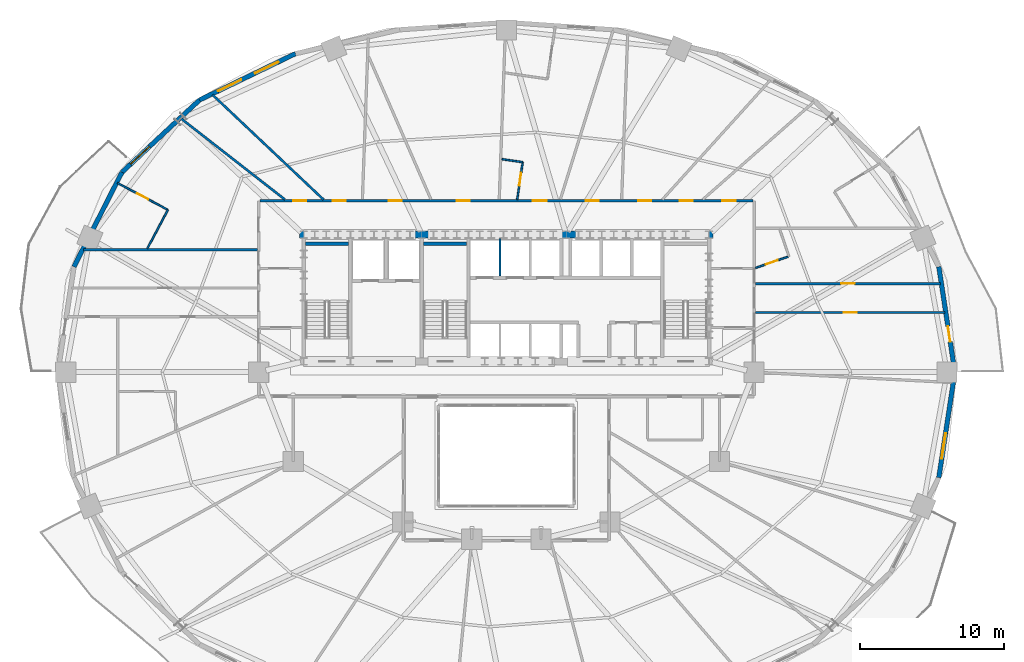
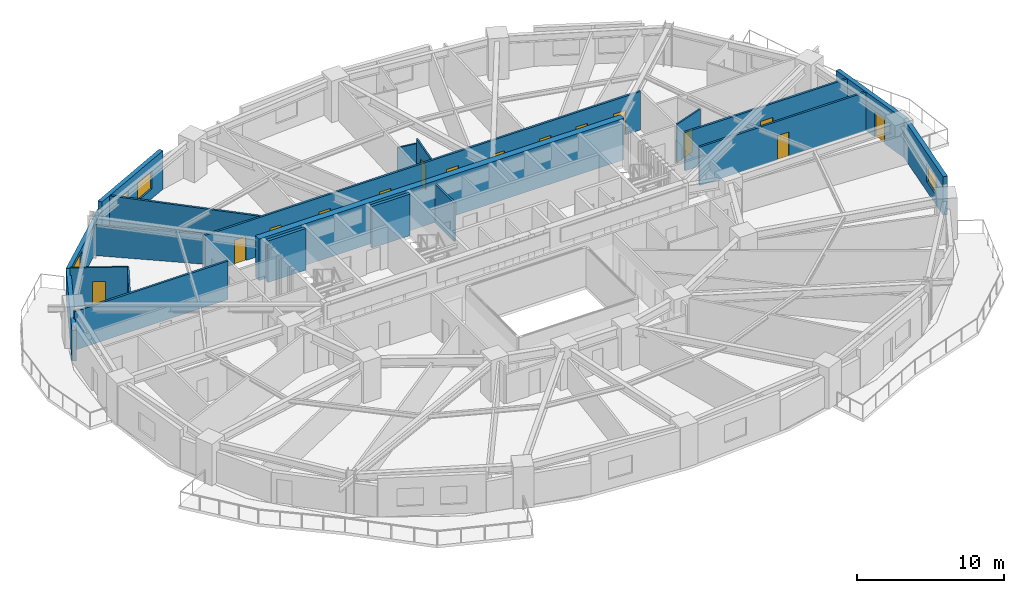
# One storey, part 12 of 17: 20 walls, 15 doors, 4 windows, 19 openings.
"""IFC4 building model written with IfcOpenShell, lengths in metres."""

from ifc_helpers import new_model, si_unit, direction, frame, frame_2d, origin, place, context, subcontext, project, spatial, rectangle, extrude, material, layer, layer_set, type_object, element, fill, save


model = new_model("IFC4")

# Units and contexts
model_context = context("Model", 3, precision=1e-05, world=origin(), true_north=direction((0.0, 1.0)))
body_context = subcontext(model_context, "Body", "Model", "MODEL_VIEW")
ifc_project = project(units=[si_unit("LENGTHUNIT", "METRE"), si_unit("AREAUNIT", "SQUARE_METRE"), si_unit("VOLUMEUNIT", "CUBIC_METRE"), si_unit("PLANEANGLEUNIT", "RADIAN"), si_unit("MASSUNIT", "GRAM", prefix="KILO")], contexts=[model_context])

# Site, building, storey
site_placement = place(None, origin())
site = spatial("IfcSite", under=ifc_project, at=site_placement, CompositionType="ELEMENT")
building_placement = place(site_placement, origin())
building = spatial("IfcBuilding", under=site, at=building_placement, Name="Haldorwick Loom Tower", CompositionType="ELEMENT")
storey_placement = place(building_placement, frame((0.0, 0.0, 44.699951171875)))
storey = spatial("IfcBuildingStorey", under=building, at=storey_placement, Name="L11", CompositionType="ELEMENT", Elevation=44.699951171875)

# Wall, opening, door
ifc_material_1 = material(Name="Pressed Clay Face Brick and Insulated Masonry Backup Assembly", Category="masonry")
ifc_layer_1 = layer(ifc_material_1, 0.320068359375, Name="Pressed Clay Face Brick and Insulated Masonry Backup Assembly", Category="masonry")
ifc_layer_set_1 = layer_set([ifc_layer_1], Name="Pressed Clay Face Brick and Insulated Masonry Backup Assembly")
wall_type_1 = type_object("IfcWallType", Name="ARC-WL-EXT320", PredefinedType="STANDARD", material=ifc_layer_set_1)
wall_1_placement = place(storey_placement, frame((67.135986328125, 26.0, 0.0), z_axis=(0.0, 0.0, 1.0), x_axis=(-0.150476322528, 0.988613613278, 0.0)))
wall_1 = element("IfcWall", 1, at=wall_1_placement, inside=storey, type_object=wall_type_1, Name="L11 Brick Pier and Spandrel Wall 1", PredefinedType="STANDARD", context=body_context, shape_type="SweptSolid", body=[
    extrude(rectangle(XDim=7.40478515625, YDim=0.320068359375, at=frame_2d((3.702392578125, 0.0))), origin(), (0.0, 0.0, 1.0), 3.2099609375),
])
opening_1_placement = place(wall_1_placement, frame((2.1416015625, 0.0, 0.0)))
opening_1 = element("IfcOpeningElement", 2, at=opening_1_placement, cuts=wall_1, Name="Opening D-BL11", PredefinedType="OPENING", context=body_context, shape_type="SweptSolid", body=[
    extrude(rectangle(XDim=1.080078125, YDim=2.0400390625, at=frame_2d((0.5400390625, 1.02001953125))), frame((0.0, 0.169921875, 0.0), z_axis=(0.0, -1.0, 0.0), x_axis=(1.0, 0.0, 0.0)), (0.0, 0.0, 1.0), 0.340087890625),
])
ifc_material_2 = material(Name="Thermally Broken Anodized Aluminium Curtain Wall Framing", Category="aluminium")
door_type_1 = type_object("IfcDoorType", Name="ARC-DR-BAL110", OperationType="NOTDEFINED", PredefinedType="DOOR", material=ifc_material_2)
door_1_placement = place(opening_1_placement, origin())
door_1 = element("IfcDoor", 3, at=door_1_placement, inside=storey, type_object=door_type_1, Name="L11 Outdoor Terrace Door SLB-L11-BAL_ENE", OperationType="SINGLE_SWING_RIGHT", OverallHeight=2.0400390625, OverallWidth=1.080078125, PredefinedType="DOOR", context=body_context, shape_type="SweptSolid", body=[
    extrude(rectangle(XDim=1.080078125, YDim=2.0400390625, at=frame_2d((0.5400390625, 1.02001953125))), frame((0.0, 0.02490234375, 0.0), z_axis=(0.0, -1.0, 0.0), x_axis=(1.0, 0.0, 0.0)), (0.0, 0.0, 1.0), 0.050048828125),
])
fill(opening_1, door_1)

# Wall, openings, windows
wall_2_placement = place(storey_placement, frame((21.355224609375, 48.11572265625, 0.0), z_axis=(0.0, 0.0, 1.0), x_axis=(-0.900295710431, -0.435278800057, 0.0)))
wall_2 = element("IfcWall", 4, at=wall_2_placement, inside=storey, type_object=wall_type_1, Name="L11 Brick Pier and Spandrel Wall 9", PredefinedType="STANDARD", context=body_context, shape_type="SweptSolid", body=[
    extrude(rectangle(XDim=7.39697265625, YDim=0.320068359375, at=frame_2d((3.698486328125, 0.0))), origin(), (0.0, 0.0, 1.0), 3.2099609375),
])
opening_2_placement = place(wall_2_placement, frame((1.319091796875, 0.0, 0.800048828125)))
opening_2 = element("IfcOpeningElement", 5, at=opening_2_placement, cuts=wall_2, Name="Opening W-01", PredefinedType="OPENING", context=body_context, shape_type="SweptSolid", body=[
    extrude(rectangle(XDim=1.800048828125, YDim=1.47998046875, at=frame_2d((0.89990234375, 0.739990234375))), frame((0.0, 0.169921875, 0.0), z_axis=(0.0, -1.0, 0.0), x_axis=(1.0, 0.0, 0.0)), (0.0, 0.0, 1.0), 0.340087890625),
])
opening_3_placement = place(wall_2_placement, frame((4.177734375, 0.0, 0.800048828125)))
opening_3 = element("IfcOpeningElement", 6, at=opening_3_placement, cuts=wall_2, Name="Opening W-01", PredefinedType="OPENING", context=body_context, shape_type="SweptSolid", body=[
    extrude(rectangle(XDim=1.800048828125, YDim=1.47998046875, at=frame_2d((0.89990234375, 0.739990234375))), frame((0.0, 0.169921875, 0.0), z_axis=(0.0, -1.0, 0.0), x_axis=(1.0, 0.0, 0.0)), (0.0, 0.0, 1.0), 0.340087890625),
])
ifc_material_3 = material(Name="Triple-Glazed Low-E Argon Insulated Glazing Unit", Category="glass")
window_type = type_object("IfcWindowType", Name="ARC-WIN-W180", PartitioningType="SINGLE_PANEL", PredefinedType="WINDOW", material=ifc_material_3)
window_1_placement = place(opening_2_placement, origin())
window_1 = element("IfcWindow", 7, at=window_1_placement, inside=storey, type_object=window_type, Name="L11 Deep-Set Zone 7A Window 9", OverallHeight=1.47998046875, OverallWidth=1.800048828125, PartitioningType="SINGLE_PANEL", PredefinedType="WINDOW", context=body_context, shape_type="SweptSolid", body=[
    extrude(rectangle(XDim=1.800048828125, YDim=1.47998046875, at=frame_2d((0.89990234375, 0.739990234375))), frame((0.0, 0.030029296875, 0.0), z_axis=(0.0, -1.0, 0.0), x_axis=(1.0, 0.0, 0.0)), (0.0, 0.0, 1.0), 0.06005859375),
])
fill(opening_2, window_1)
window_2_placement = place(opening_3_placement, origin())
window_2 = element("IfcWindow", 8, at=window_2_placement, inside=storey, type_object=window_type, Name="L11 Deep-Set Zone 7A Window 9", OverallHeight=1.47998046875, OverallWidth=1.800048828125, PartitioningType="SINGLE_PANEL", PredefinedType="WINDOW", context=body_context, shape_type="SweptSolid", body=[
    extrude(rectangle(XDim=1.800048828125, YDim=1.47998046875, at=frame_2d((0.89990234375, 0.739990234375))), frame((0.0, 0.030029296875, 0.0), z_axis=(0.0, -1.0, 0.0), x_axis=(1.0, 0.0, 0.0)), (0.0, 0.0, 1.0), 0.06005859375),
])
fill(opening_3, window_2)

# Wall, opening, window
wall_3_placement = place(storey_placement, frame((14.69580078125, 44.89599609375, 0.0), z_axis=(0.0, 0.0, 1.0), x_axis=(-0.73176101237, -0.681561311091, 0.0)))
wall_3 = element("IfcWall", 9, at=wall_3_placement, inside=storey, type_object=wall_type_1, Name="L11 Brick Pier and Spandrel Wall 10", PredefinedType="STANDARD", context=body_context, shape_type="SweptSolid", body=[
    extrude(rectangle(XDim=7.3583984375, YDim=0.320068359375, at=frame_2d((3.67919921875, 0.0))), origin(), (0.0, 0.0, 1.0), 2.569091796875),
])
opening_4_placement = place(wall_3_placement, frame((4.736572265625, 0.0, 0.800048828125)))
opening_4 = element("IfcOpeningElement", 10, at=opening_4_placement, cuts=wall_3, Name="Opening W-01", PredefinedType="OPENING", context=body_context, shape_type="SweptSolid", body=[
    extrude(rectangle(XDim=1.800048828125, YDim=1.47998046875, at=frame_2d((0.89990234375, 0.739990234375))), frame((0.0, 0.169921875, 0.0), z_axis=(0.0, -1.0, 0.0), x_axis=(1.0, 0.0, 0.0)), (0.0, 0.0, 1.0), 0.340087890625),
])
window_3_placement = place(opening_4_placement, origin())
window_3 = element("IfcWindow", 11, at=window_3_placement, inside=storey, type_object=window_type, Name="L11 Deep-Set Zone 7A Window 10", OverallHeight=1.47998046875, OverallWidth=1.800048828125, PartitioningType="SINGLE_PANEL", PredefinedType="WINDOW", context=body_context, shape_type="SweptSolid", body=[
    extrude(rectangle(XDim=1.800048828125, YDim=1.47998046875, at=frame_2d((0.89990234375, 0.739990234375))), frame((0.0, 0.030029296875, 0.0), z_axis=(0.0, -1.0, 0.0), x_axis=(1.0, 0.0, 0.0)), (0.0, 0.0, 1.0), 0.06005859375),
])
fill(opening_4, window_3)

# Wall
wall_4_placement = place(storey_placement, frame((9.311279296875, 39.880859375, 0.0), z_axis=(0.0, 0.0, 1.0), x_axis=(-0.452950855928, -0.891535485617, 0.0)))
element("IfcWall", 12, at=wall_4_placement, inside=storey, type_object=wall_type_1, Name="L11 Brick Pier and Spandrel Wall 11", PredefinedType="STANDARD", context=body_context, shape_type="SweptSolid", body=[
    extrude(rectangle(XDim=7.3583984375, YDim=0.320068359375, at=frame_2d((3.67919921875, 0.0))), origin(), (0.0, 0.0, 1.0), 2.569091796875),
])

# Wall, opening, window
wall_5_placement = place(storey_placement, frame((66.021728515625, 18.679443359375, 0.0), z_axis=(0.0, 0.0, 1.0), x_axis=(0.150476322528, 0.988613613278, 0.0)))
wall_5 = element("IfcWall", 13, at=wall_5_placement, inside=storey, type_object=wall_type_1, Name="L11 Brick Pier and Spandrel Wall 24", PredefinedType="STANDARD", context=body_context, shape_type="SweptSolid", body=[
    extrude(rectangle(XDim=7.40478515625, YDim=0.320068359375, at=frame_2d((3.702392578125, 0.0))), origin(), (0.0, 0.0, 1.0), 3.2099609375),
])
opening_5_placement = place(wall_5_placement, frame((1.321533203125, 0.0, 0.800048828125)))
opening_5 = element("IfcOpeningElement", 14, at=opening_5_placement, cuts=wall_5, Name="Opening W-01", PredefinedType="OPENING", context=body_context, shape_type="SweptSolid", body=[
    extrude(rectangle(XDim=1.800048828125, YDim=1.47998046875, at=frame_2d((0.89990234375, 0.739990234375))), frame((0.0, 0.169921875, 0.0), z_axis=(0.0, -1.0, 0.0), x_axis=(1.0, 0.0, 0.0)), (0.0, 0.0, 1.0), 0.340087890625),
])
window_4_placement = place(opening_5_placement, origin())
window_4 = element("IfcWindow", 15, at=window_4_placement, inside=storey, type_object=window_type, Name="L11 Deep-Set Zone 7A Window 24", OverallHeight=1.47998046875, OverallWidth=1.800048828125, PartitioningType="SINGLE_PANEL", PredefinedType="WINDOW", context=body_context, shape_type="SweptSolid", body=[
    extrude(rectangle(XDim=1.800048828125, YDim=1.47998046875, at=frame_2d((0.89990234375, 0.739990234375))), frame((0.0, 0.030029296875, 0.0), z_axis=(0.0, -1.0, 0.0), x_axis=(1.0, 0.0, 0.0)), (0.0, 0.0, 1.0), 0.06005859375),
])
fill(opening_5, window_4)

# Wall, openings, doors
ifc_material_4 = material(Name="Fire-Rated Type X Gypsum Stud Assembly EI 60")
ifc_layer_2 = layer(ifc_material_4, 0.159912109375, Name="Fire-Rated Type X Gypsum Stud Assembly EI 60")
ifc_layer_set_2 = layer_set([ifc_layer_2], Name="Fire-Rated Type X Gypsum Stud Assembly EI 60")
wall_type_2 = type_object("IfcWallType", Name="ARC-WL-FIRE160", PredefinedType="PARTITIONING", material=ifc_layer_set_2)
wall_6_placement = place(storey_placement, frame((18.883056640625, 37.89990234375, 0.0), z_axis=(0.0, 0.0, 1.0), x_axis=(1.0, 0.0, 0.0)))
wall_6 = element("IfcWall", 16, at=wall_6_placement, inside=storey, type_object=wall_type_2, Name="L11 Residential Fire Partition L11-CR-N0", PredefinedType="PARTITIONING", context=body_context, shape_type="SweptSolid", body=[
    extrude(rectangle(XDim=34.23388671875, YDim=0.159912109375, at=frame_2d((17.116943359375, 0.0))), origin(), (0.0, 0.0, 1.0), 3.195068359375),
])
opening_6_placement = place(wall_6_placement, frame((13.685302734375, 0.0, 0.0)))
opening_6 = element("IfcOpeningElement", 17, at=opening_6_placement, cuts=wall_6, Name="Opening D-FD60A", PredefinedType="OPENING", context=body_context, shape_type="SweptSolid", body=[
    extrude(rectangle(XDim=0.89990234375, YDim=2.0, at=frame_2d((0.449951171875, 1.0))), frame((0.0, 0.08984375, 0.0), z_axis=(0.0, -1.0, 0.0), x_axis=(1.0, 0.0, 0.0)), (0.0, 0.0, 1.0), 0.179931640625),
])
opening_7_placement = place(wall_6_placement, frame((8.936767578125, 0.0, 0.0)))
opening_7 = element("IfcOpeningElement", 18, at=opening_7_placement, cuts=wall_6, Name="Opening D-FD60A", PredefinedType="OPENING", context=body_context, shape_type="SweptSolid", body=[
    extrude(rectangle(XDim=0.89990234375, YDim=2.0, at=frame_2d((0.449951171875, 1.0))), frame((0.0, 0.08984375, 0.0), z_axis=(0.0, -1.0, 0.0), x_axis=(1.0, 0.0, 0.0)), (0.0, 0.0, 1.0), 0.179931640625),
])
opening_8_placement = place(wall_6_placement, frame((22.63037109375, 0.0, 0.0)))
opening_8 = element("IfcOpeningElement", 19, at=opening_8_placement, cuts=wall_6, Name="Opening D-FD60A", PredefinedType="OPENING", context=body_context, shape_type="SweptSolid", body=[
    extrude(rectangle(XDim=0.89990234375, YDim=2.0, at=frame_2d((0.449951171875, 1.0))), frame((0.0, 0.08984375, 0.0), z_axis=(0.0, -1.0, 0.0), x_axis=(1.0, 0.0, 0.0)), (0.0, 0.0, 1.0), 0.179931640625),
])
opening_9_placement = place(wall_6_placement, frame((32.1025390625, 0.0, 0.0)))
opening_9 = element("IfcOpeningElement", 20, at=opening_9_placement, cuts=wall_6, Name="Opening D-FL95", PredefinedType="OPENING", context=body_context, shape_type="SweptSolid", body=[
    extrude(rectangle(XDim=0.949951171875, YDim=2.0400390625, at=frame_2d((0.47509765625, 1.02001953125))), frame((0.0, 0.08984375, 0.0), z_axis=(0.0, -1.0, 0.0), x_axis=(1.0, 0.0, 0.0)), (0.0, 0.0, 1.0), 0.179931640625),
])
opening_10_placement = place(wall_6_placement, frame((18.961181640625, 0.0, 0.0)))
opening_10 = element("IfcOpeningElement", 21, at=opening_10_placement, cuts=wall_6, Name="Opening D-FL95", PredefinedType="OPENING", context=body_context, shape_type="SweptSolid", body=[
    extrude(rectangle(XDim=0.949951171875, YDim=2.0400390625, at=frame_2d((0.47509765625, 1.02001953125))), frame((0.0, 0.08984375, 0.0), z_axis=(0.0, -1.0, 0.0), x_axis=(1.0, 0.0, 0.0)), (0.0, 0.0, 1.0), 0.179931640625),
])
opening_11_placement = place(wall_6_placement, frame((29.145751953125, 0.0, 0.0)))
opening_11 = element("IfcOpeningElement", 22, at=opening_11_placement, cuts=wall_6, Name="Opening D-FD60A", PredefinedType="OPENING", context=body_context, shape_type="SweptSolid", body=[
    extrude(rectangle(XDim=0.89990234375, YDim=2.0, at=frame_2d((0.449951171875, 1.0))), frame((0.0, 0.08984375, 0.0), z_axis=(0.0, -1.0, 0.0), x_axis=(1.0, 0.0, 0.0)), (0.0, 0.0, 1.0), 0.179931640625),
])
opening_12_placement = place(wall_6_placement, frame((5.071533203125, 0.0, 0.0)))
opening_12 = element("IfcOpeningElement", 23, at=opening_12_placement, cuts=wall_6, Name="Opening D-FD60A", PredefinedType="OPENING", context=body_context, shape_type="SweptSolid", body=[
    extrude(rectangle(XDim=0.89990234375, YDim=2.0, at=frame_2d((0.449951171875, 1.0))), frame((0.0, 0.08984375, 0.0), z_axis=(0.0, -1.0, 0.0), x_axis=(1.0, 0.0, 0.0)), (0.0, 0.0, 1.0), 0.179931640625),
])
opening_13_placement = place(wall_6_placement, frame((26.274658203125, 0.0, 0.0)))
opening_13 = element("IfcOpeningElement", 24, at=opening_13_placement, cuts=wall_6, Name="Opening D-FD60A", PredefinedType="OPENING", context=body_context, shape_type="SweptSolid", body=[
    extrude(rectangle(XDim=0.89990234375, YDim=2.0, at=frame_2d((0.449951171875, 1.0))), frame((0.0, 0.08984375, 0.0), z_axis=(0.0, -1.0, 0.0), x_axis=(1.0, 0.0, 0.0)), (0.0, 0.0, 1.0), 0.179931640625),
])
opening_14_placement = place(wall_6_placement, frame((2.310791015625, 0.0, 0.0)))
opening_14 = element("IfcOpeningElement", 25, at=opening_14_placement, cuts=wall_6, Name="Opening D-FD60A", PredefinedType="OPENING", context=body_context, shape_type="SweptSolid", body=[
    extrude(rectangle(XDim=0.89990234375, YDim=2.0, at=frame_2d((0.449951171875, 1.0))), frame((0.0, 0.08984375, 0.0), z_axis=(0.0, -1.0, 0.0), x_axis=(1.0, 0.0, 0.0)), (0.0, 0.0, 1.0), 0.179931640625),
])
ifc_material_5 = material(Name="Hollow Steel Fire Door Assembly", Category="steel")
door_type_2 = type_object("IfcDoorType", Name="ARC-DR-FD60-90", OperationType="NOTDEFINED", PredefinedType="DOOR", material=ifc_material_5)
door_2_placement = place(opening_6_placement, frame((0.89990234375, 0.0, 0.0), z_axis=(0.0, 0.0, 1.0), x_axis=(-1.0, 0.0, 0.0)))
door_2 = element("IfcDoor", 26, at=door_2_placement, inside=storey, type_object=door_type_2, Name="L11 Community Teaching Classroom 6 to L11 North Residential Corridor Doo", OperationType="SINGLE_SWING_LEFT", OverallHeight=2.0, OverallWidth=0.89990234375, PredefinedType="DOOR", context=body_context, shape_type="SweptSolid", body=[
    extrude(rectangle(XDim=0.89990234375, YDim=2.0, at=frame_2d((0.449951171875, 1.0))), frame((0.0, 0.02490234375, 0.0), z_axis=(0.0, -1.0, 0.0), x_axis=(1.0, 0.0, 0.0)), (0.0, 0.0, 1.0), 0.050048828125),
])
fill(opening_6, door_2)
door_3_placement = place(opening_7_placement, frame((0.89990234375, 0.0, 0.0), z_axis=(0.0, 0.0, 1.0), x_axis=(-1.0, 0.0, 0.0)))
door_3 = element("IfcDoor", 27, at=door_3_placement, inside=storey, type_object=door_type_2, Name="L11 Remote Work Office 9 to L11 North Residential Corridor Door", OperationType="SINGLE_SWING_LEFT", OverallHeight=2.0, OverallWidth=0.89990234375, PredefinedType="DOOR", context=body_context, shape_type="SweptSolid", body=[
    extrude(rectangle(XDim=0.89990234375, YDim=2.0, at=frame_2d((0.449951171875, 1.0))), frame((0.0, 0.02490234375, 0.0), z_axis=(0.0, -1.0, 0.0), x_axis=(1.0, 0.0, 0.0)), (0.0, 0.0, 1.0), 0.050048828125),
])
fill(opening_7, door_3)
door_4_placement = place(opening_8_placement, frame((0.89990234375, 0.0, 0.0), z_axis=(0.0, 0.0, 1.0), x_axis=(-1.0, 0.0, 0.0)))
door_4 = element("IfcDoor", 28, at=door_4_placement, inside=storey, type_object=door_type_2, Name="L11 Remote Work Office 11 to L11 North Residential Corridor Door", OperationType="SINGLE_SWING_RIGHT", OverallHeight=2.0, OverallWidth=0.89990234375, PredefinedType="DOOR", context=body_context, shape_type="SweptSolid", body=[
    extrude(rectangle(XDim=0.89990234375, YDim=2.0, at=frame_2d((0.449951171875, 1.0))), frame((0.0, 0.02490234375, 0.0), z_axis=(0.0, -1.0, 0.0), x_axis=(1.0, 0.0, 0.0)), (0.0, 0.0, 1.0), 0.050048828125),
])
fill(opening_8, door_4)
door_5_placement = place(opening_11_placement, frame((0.89990234375, 0.0, 0.0), z_axis=(0.0, 0.0, 1.0), x_axis=(-1.0, 0.0, 0.0)))
door_5 = element("IfcDoor", 29, at=door_5_placement, inside=storey, type_object=door_type_2, Name="L11 Shared Tea Pantry 22 to L11 North Residential Corridor Door", OperationType="SINGLE_SWING_LEFT", OverallHeight=2.0, OverallWidth=0.89990234375, PredefinedType="DOOR", context=body_context, shape_type="SweptSolid", body=[
    extrude(rectangle(XDim=0.89990234375, YDim=2.0, at=frame_2d((0.449951171875, 1.0))), frame((0.0, 0.02490234375, 0.0), z_axis=(0.0, -1.0, 0.0), x_axis=(1.0, 0.0, 0.0)), (0.0, 0.0, 1.0), 0.050048828125),
])
fill(opening_11, door_5)
door_6_placement = place(opening_12_placement, frame((0.89990234375, 0.0, 0.0), z_axis=(0.0, 0.0, 1.0), x_axis=(-1.0, 0.0, 0.0)))
door_6 = element("IfcDoor", 30, at=door_6_placement, inside=storey, type_object=door_type_2, Name="L11 Community Teaching Classroom 13 to L11 North Residential Corridor Do", OperationType="SINGLE_SWING_RIGHT", OverallHeight=2.0, OverallWidth=0.89990234375, PredefinedType="DOOR", context=body_context, shape_type="SweptSolid", body=[
    extrude(rectangle(XDim=0.89990234375, YDim=2.0, at=frame_2d((0.449951171875, 1.0))), frame((0.0, 0.02490234375, 0.0), z_axis=(0.0, -1.0, 0.0), x_axis=(1.0, 0.0, 0.0)), (0.0, 0.0, 1.0), 0.050048828125),
])
fill(opening_12, door_6)
door_7_placement = place(opening_13_placement, frame((0.89990234375, 0.0, 0.0), z_axis=(0.0, 0.0, 1.0), x_axis=(-1.0, 0.0, 0.0)))
door_7 = element("IfcDoor", 31, at=door_7_placement, inside=storey, type_object=door_type_2, Name="L11 Community Teaching Classroom 14 to L11 North Residential Corridor Do", OperationType="SINGLE_SWING_LEFT", OverallHeight=2.0, OverallWidth=0.89990234375, PredefinedType="DOOR", context=body_context, shape_type="SweptSolid", body=[
    extrude(rectangle(XDim=0.89990234375, YDim=2.0, at=frame_2d((0.449951171875, 1.0))), frame((0.0, 0.02490234375, 0.0), z_axis=(0.0, -1.0, 0.0), x_axis=(1.0, 0.0, 0.0)), (0.0, 0.0, 1.0), 0.050048828125),
])
fill(opening_13, door_7)
door_8_placement = place(opening_14_placement, frame((0.89990234375, 0.0, 0.0), z_axis=(0.0, 0.0, 1.0), x_axis=(-1.0, 0.0, 0.0)))
door_8 = element("IfcDoor", 32, at=door_8_placement, inside=storey, type_object=door_type_2, Name="L11 Shared Tea Pantry 20 to L11 North Residential Corridor Door", OperationType="SINGLE_SWING_RIGHT", OverallHeight=2.0, OverallWidth=0.89990234375, PredefinedType="DOOR", context=body_context, shape_type="SweptSolid", body=[
    extrude(rectangle(XDim=0.89990234375, YDim=2.0, at=frame_2d((0.449951171875, 1.0))), frame((0.0, 0.02490234375, 0.0), z_axis=(0.0, -1.0, 0.0), x_axis=(1.0, 0.0, 0.0)), (0.0, 0.0, 1.0), 0.050048828125),
])
fill(opening_14, door_8)
ifc_material_6 = material(Name="Solid Core Birch Architectural Door")
door_type_3 = type_object("IfcDoorType", Name="ARC-DR-FLAT95", OperationType="NOTDEFINED", PredefinedType="DOOR", material=ifc_material_6)
door_9_placement = place(opening_9_placement, frame((0.949951171875, 0.0, 0.0), z_axis=(0.0, 0.0, 1.0), x_axis=(-1.0, 0.0, 0.0)))
door_9 = element("IfcDoor", 33, at=door_9_placement, inside=storey, type_object=door_type_3, Name="L11 Unit 11E Kitchen and Studio Living Room to L11 North Residential Cor", OperationType="SINGLE_SWING_RIGHT", OverallHeight=2.0400390625, OverallWidth=0.949951171875, PredefinedType="DOOR", context=body_context, shape_type="SweptSolid", body=[
    extrude(rectangle(XDim=0.949951171875, YDim=2.0400390625, at=frame_2d((0.47509765625, 1.02001953125))), frame((0.0, 0.02490234375, 0.0), z_axis=(0.0, -1.0, 0.0), x_axis=(1.0, 0.0, 0.0)), (0.0, 0.0, 1.0), 0.050048828125),
])
fill(opening_9, door_9)
door_10_placement = place(opening_10_placement, frame((0.949951171875, 0.0, 0.0), z_axis=(0.0, 0.0, 1.0), x_axis=(-1.0, 0.0, 0.0)))
door_10 = element("IfcDoor", 34, at=door_10_placement, inside=storey, type_object=door_type_3, Name="L11 Unit 11G Kitchen and Living Room to L11 North Residential Corridor D", OperationType="SINGLE_SWING_RIGHT", OverallHeight=2.0400390625, OverallWidth=0.949951171875, PredefinedType="DOOR", context=body_context, shape_type="SweptSolid", body=[
    extrude(rectangle(XDim=0.949951171875, YDim=2.0400390625, at=frame_2d((0.47509765625, 1.02001953125))), frame((0.0, 0.02490234375, 0.0), z_axis=(0.0, -1.0, 0.0), x_axis=(1.0, 0.0, 0.0)), (0.0, 0.0, 1.0), 0.050048828125),
])
fill(opening_10, door_10)

# Wall, opening, door
wall_7_placement = place(storey_placement, frame((53.282958984375, 30.14990234375, 0.0), z_axis=(0.0, 0.0, 1.0), x_axis=(1.0, 0.0, 0.0)))
wall_7 = element("IfcWall", 35, at=wall_7_placement, inside=storey, type_object=wall_type_2, Name="L11 Residential Fire Partition L11-CR-GE0", PredefinedType="PARTITIONING", context=body_context, shape_type="SweptSolid", body=[
    extrude(rectangle(XDim=13.15576171875, YDim=0.159912109375, at=frame_2d((6.577880859375, 0.0))), origin(), (0.0, 0.0, 1.0), 3.195068359375),
])
opening_15_placement = place(wall_7_placement, frame((6.127685546875, 0.0, 0.0)))
opening_15 = element("IfcOpeningElement", 36, at=opening_15_placement, cuts=wall_7, Name="Opening D-FD60A", PredefinedType="OPENING", context=body_context, shape_type="SweptSolid", body=[
    extrude(rectangle(XDim=0.89990234375, YDim=2.0, at=frame_2d((0.449951171875, 1.0))), frame((0.0, 0.08984375, 0.0), z_axis=(0.0, -1.0, 0.0), x_axis=(1.0, 0.0, 0.0)), (0.0, 0.0, 1.0), 0.179931640625),
])
door_11_placement = place(opening_15_placement, origin())
door_11 = element("IfcDoor", 37, at=door_11_placement, inside=storey, type_object=door_type_2, Name="L11 L11 East Daylight Corridor to Tenant Seminar Room 2 Door", OperationType="SINGLE_SWING_LEFT", OverallHeight=2.0, OverallWidth=0.89990234375, PredefinedType="DOOR", context=body_context, shape_type="SweptSolid", body=[
    extrude(rectangle(XDim=0.89990234375, YDim=2.0, at=frame_2d((0.449951171875, 1.0))), frame((0.0, 0.02490234375, 0.0), z_axis=(0.0, -1.0, 0.0), x_axis=(1.0, 0.0, 0.0)), (0.0, 0.0, 1.0), 0.050048828125),
])
fill(opening_15, door_11)

wall_8_placement = place(storey_placement, frame((53.282958984375, 32.14990234375, 0.0), z_axis=(0.0, 0.0, 1.0), x_axis=(1.0, 0.0, 0.0)))
wall_8 = element("IfcWall", 38, at=wall_8_placement, inside=storey, type_object=wall_type_2, Name="L11 Residential Fire Partition L11-CR-GE1", PredefinedType="PARTITIONING", context=body_context, shape_type="SweptSolid", body=[
    extrude(rectangle(XDim=12.851318359375, YDim=0.159912109375, at=frame_2d((6.42578125, 0.0))), origin(), (0.0, 0.0, 1.0), 3.195068359375),
])
opening_16_placement = place(wall_8_placement, frame((5.95068359375, 0.0, 0.0)))
opening_16 = element("IfcOpeningElement", 39, at=opening_16_placement, cuts=wall_8, Name="Opening D-FL95", PredefinedType="OPENING", context=body_context, shape_type="SweptSolid", body=[
    extrude(rectangle(XDim=0.949951171875, YDim=2.0400390625, at=frame_2d((0.47509765625, 1.02001953125))), frame((0.0, 0.08984375, 0.0), z_axis=(0.0, -1.0, 0.0), x_axis=(1.0, 0.0, 0.0)), (0.0, 0.0, 1.0), 0.179931640625),
])
door_12_placement = place(opening_16_placement, frame((0.949951171875, 0.0, 0.0), z_axis=(0.0, 0.0, 1.0), x_axis=(-1.0, 0.0, 0.0)))
door_12 = element("IfcDoor", 40, at=door_12_placement, inside=storey, type_object=door_type_3, Name="L11 Unit 11C Kitchen and Studio Living Room to L11 East Daylight Corrido", OperationType="SINGLE_SWING_LEFT", OverallHeight=2.0400390625, OverallWidth=0.949951171875, PredefinedType="DOOR", context=body_context, shape_type="SweptSolid", body=[
    extrude(rectangle(XDim=0.949951171875, YDim=2.0400390625, at=frame_2d((0.47509765625, 1.02001953125))), frame((0.0, 0.02490234375, 0.0), z_axis=(0.0, -1.0, 0.0), x_axis=(1.0, 0.0, 0.0)), (0.0, 0.0, 1.0), 0.050048828125),
])
fill(opening_16, door_12)

# Walls
wall_9_placement = place(storey_placement, frame((6.650390625, 34.5, 0.0), z_axis=(0.0, 0.0, 1.0), x_axis=(1.0, 0.0, 0.0)))
element("IfcWall", 41, at=wall_9_placement, inside=storey, type_object=wall_type_2, Name="L11 Residential Fire Partition L11-FLW-17", PredefinedType="PARTITIONING", context=body_context, shape_type="SweptSolid", body=[
    extrude(rectangle(XDim=12.066650390625, YDim=0.159912109375, at=frame_2d((6.033203125, 0.0))), origin(), (0.0, 0.0, 1.0), 3.195068359375),
])
wall_10_placement = place(storey_placement, frame((20.629638671875, 37.98291015625, 0.0), z_axis=(0.0, 0.0, 1.0), x_axis=(-0.788647935365, 0.614845048808, 0.0)))
element("IfcWall", 42, at=wall_10_placement, inside=storey, type_object=wall_type_2, Name="L11 Suite Split Wall", PredefinedType="PARTITIONING", context=body_context, shape_type="SweptSolid", body=[
    extrude(rectangle(XDim=9.153076171875, YDim=0.159912109375, at=frame_2d((4.57666015625, 0.0))), origin(), (0.0, 0.0, 1.0), 2.489990234375),
])
wall_11_placement = place(storey_placement, frame((23.30419921875, 37.98291015625, 0.0), z_axis=(0.0, 0.0, 1.0), x_axis=(-0.72720729729, 0.686417909708, 0.0)))
element("IfcWall", 43, at=wall_11_placement, inside=storey, type_object=wall_type_2, Name="L11 Suite Split Wall", PredefinedType="PARTITIONING", context=body_context, shape_type="SweptSolid", body=[
    extrude(rectangle(XDim=10.60009765625, YDim=0.159912109375, at=frame_2d((5.300048828125, 0.0))), origin(), (0.0, 0.0, 1.0), 3.195068359375),
])

# Wall, opening, door
ifc_material_7 = material(Name="Acoustic Gypsum Stud Assembly STC 55")
ifc_layer_3 = layer(ifc_material_7, 0.1201171875, Name="Acoustic Gypsum Stud Assembly STC 55")
ifc_layer_set_3 = layer_set([ifc_layer_3], Name="Acoustic Gypsum Stud Assembly STC 55")
wall_type_3 = type_object("IfcWallType", Name="ARC-WL-PART120", PredefinedType="PARTITIONING", material=ifc_layer_set_3)
wall_12_placement = place(storey_placement, frame((53.282958984375, 33.23388671875, 0.0), z_axis=(0.0, 0.0, 1.0), x_axis=(0.94569244176, 0.325062771782, 0.0)))
wall_12 = element("IfcWall", 44, at=wall_12_placement, inside=storey, type_object=wall_type_3, Name="L11 Unit 11C Interior Partition", PredefinedType="PARTITIONING", context=body_context, shape_type="SweptSolid", body=[
    extrude(rectangle(XDim=2.40869140625, YDim=0.1201171875, at=frame_2d((1.204345703125, 0.0))), origin(), (0.0, 0.0, 1.0), 3.195068359375),
])
opening_17_placement = place(wall_12_placement, frame((0.764404296875, 0.0, 0.0)))
opening_17 = element("IfcOpeningElement", 45, at=opening_17_placement, cuts=wall_12, Name="Opening D-BT88", PredefinedType="OPENING", context=body_context, shape_type="SweptSolid", body=[
    extrude(rectangle(XDim=0.8798828125, YDim=2.02001953125, at=frame_2d((0.43994140625, 1.010009765625))), frame((0.0, 0.070068359375, 0.0), z_axis=(0.0, -1.0, 0.0), x_axis=(1.0, 0.0, 0.0)), (0.0, 0.0, 1.0), 0.14013671875),
])
door_type_4 = type_object("IfcDoorType", Name="ARC-DR-BATH88", OperationType="NOTDEFINED", PredefinedType="DOOR", material=ifc_material_6)
door_13_placement = place(opening_17_placement, origin())
door_13 = element("IfcDoor", 46, at=door_13_placement, inside=storey, type_object=door_type_4, Name="L11 Unit 11C Bathroom to Unit 11C Kitchen and Studio Living Room Door", OperationType="SINGLE_SWING_LEFT", OverallHeight=2.02001953125, OverallWidth=0.8798828125, PredefinedType="DOOR", context=body_context, shape_type="SweptSolid", body=[
    extrude(rectangle(XDim=0.8798828125, YDim=2.02001953125, at=frame_2d((0.43994140625, 1.010009765625))), frame((0.0, 0.02490234375, 0.0), z_axis=(0.0, -1.0, 0.0), x_axis=(1.0, 0.0, 0.0)), (0.0, 0.0, 1.0), 0.050048828125),
])
fill(opening_17, door_13)

# Wall
wall_13_placement = place(storey_placement, frame((12.503173828125, 37.26904296875, 0.0), z_axis=(0.0, 0.0, 1.0), x_axis=(-0.470604885421, -0.882344060907, 0.0)))
element("IfcWall", 47, at=wall_13_placement, inside=storey, type_object=wall_type_3, Name="L11 Unit 11D Interior Partition", PredefinedType="PARTITIONING", context=body_context, shape_type="SweptSolid", body=[
    extrude(rectangle(XDim=3.044189453125, YDim=0.1201171875, at=frame_2d((1.52197265625, 0.0))), origin(), (0.0, 0.0, 1.0), 3.195068359375),
])

# Wall, opening, door
wall_14_placement = place(storey_placement, frame((12.503173828125, 37.26904296875, 0.0), z_axis=(0.0, 0.0, 1.0), x_axis=(-0.882356350336, 0.470581843064, 0.0)))
wall_14 = element("IfcWall", 48, at=wall_14_placement, inside=storey, type_object=wall_type_3, Name="L11 Unit 11D Interior Partition", PredefinedType="PARTITIONING", context=body_context, shape_type="SweptSolid", body=[
    extrude(rectangle(XDim=3.964599609375, YDim=0.1201171875, at=frame_2d((1.982421875, 0.0))), origin(), (0.0, 0.0, 1.0), 3.195068359375),
])
opening_18_placement = place(wall_14_placement, frame((1.542236328125, 0.0, 0.0)))
opening_18 = element("IfcOpeningElement", 49, at=opening_18_placement, cuts=wall_14, Name="Opening D-BT88", PredefinedType="OPENING", context=body_context, shape_type="SweptSolid", body=[
    extrude(rectangle(XDim=0.8798828125, YDim=2.02001953125, at=frame_2d((0.43994140625, 1.010009765625))), frame((0.0, 0.070068359375, 0.0), z_axis=(0.0, -1.0, 0.0), x_axis=(1.0, 0.0, 0.0)), (0.0, 0.0, 1.0), 0.14013671875),
])
door_14_placement = place(opening_18_placement, origin())
door_14 = element("IfcDoor", 50, at=door_14_placement, inside=storey, type_object=door_type_4, Name="L11 Unit 11D Bathroom to Unit 11D Kitchen and Studio Living Room Door", OperationType="SINGLE_SWING_RIGHT", OverallHeight=2.02001953125, OverallWidth=0.8798828125, PredefinedType="DOOR", context=body_context, shape_type="SweptSolid", body=[
    extrude(rectangle(XDim=0.8798828125, YDim=2.02001953125, at=frame_2d((0.43994140625, 1.010009765625))), frame((0.0, 0.02490234375, 0.0), z_axis=(0.0, -1.0, 0.0), x_axis=(1.0, 0.0, 0.0)), (0.0, 0.0, 1.0), 0.050048828125),
])
fill(opening_18, door_14)

# Wall
wall_15_placement = place(storey_placement, frame((37.133544921875, 40.577392578125, 0.0), z_axis=(0.0, 0.0, 1.0), x_axis=(-0.989325147552, 0.145724920383, 0.0)))
element("IfcWall", 51, at=wall_15_placement, inside=storey, type_object=wall_type_3, Name="L11 Unit 11G Interior Partition", PredefinedType="PARTITIONING", context=body_context, shape_type="SweptSolid", body=[
    extrude(rectangle(XDim=1.4609375, YDim=0.1201171875, at=frame_2d((0.73046875, 0.0))), origin(), (0.0, 0.0, 1.0), 2.8271484375),
])

# Wall, opening, door
wall_16_placement = place(storey_placement, frame((36.75146484375, 37.98291015625, 0.0), z_axis=(0.0, 0.0, 1.0), x_axis=(0.145694998844, 0.989329554452, 0.0)))
wall_16 = element("IfcWall", 52, at=wall_16_placement, inside=storey, type_object=wall_type_3, Name="L11 Unit 11G Interior Partition", PredefinedType="PARTITIONING", context=body_context, shape_type="SweptSolid", body=[
    extrude(rectangle(XDim=2.62255859375, YDim=0.1201171875, at=frame_2d((1.311279296875, 0.0))), origin(), (0.0, 0.0, 1.0), 3.195068359375),
])
opening_19_placement = place(wall_16_placement, frame((0.9892578125, 0.0, 0.0)))
opening_19 = element("IfcOpeningElement", 53, at=opening_19_placement, cuts=wall_16, Name="Opening D-BT88", PredefinedType="OPENING", context=body_context, shape_type="SweptSolid", body=[
    extrude(rectangle(XDim=0.8798828125, YDim=2.02001953125, at=frame_2d((0.43994140625, 1.010009765625))), frame((0.0, 0.070068359375, 0.0), z_axis=(0.0, -1.0, 0.0), x_axis=(1.0, 0.0, 0.0)), (0.0, 0.0, 1.0), 0.14013671875),
])
door_15_placement = place(opening_19_placement, origin())
door_15 = element("IfcDoor", 54, at=door_15_placement, inside=storey, type_object=door_type_4, Name="L11 Unit 11G Bathroom to Unit 11G Kitchen and Living Room Door", OperationType="SINGLE_SWING_RIGHT", OverallHeight=2.02001953125, OverallWidth=0.8798828125, PredefinedType="DOOR", context=body_context, shape_type="SweptSolid", body=[
    extrude(rectangle(XDim=0.8798828125, YDim=2.02001953125, at=frame_2d((0.43994140625, 1.010009765625))), frame((0.0, 0.02490234375, 0.0), z_axis=(0.0, -1.0, 0.0), x_axis=(1.0, 0.0, 0.0)), (0.0, 0.0, 1.0), 0.050048828125),
])
fill(opening_19, door_15)

# Walls
ifc_material_8 = material(Name="Fire-Rated Type X Gypsum Stud Assembly EI 120")
ifc_layer_4 = layer(ifc_material_8, 0.1650390625, Name="Fire-Rated Type X Gypsum Stud Assembly EI 120")
ifc_layer_set_4 = layer_set([ifc_layer_4], Name="Fire-Rated Type X Gypsum Stud Assembly EI 120")
wall_type_4 = type_object("IfcWallType", Name="ARC-WL-SHAFT160", PredefinedType="MOVABLE", material=ifc_layer_set_4)
wall_17_placement = place(storey_placement, frame((35.550048828125, 32.673095703125, 0.0), z_axis=(0.0, 0.0, 1.0), x_axis=(0.0, 1.0, 0.0)))
element("IfcWall", 55, at=wall_17_placement, inside=storey, type_object=wall_type_4, Name="L11 Low-Rise Hoistway Divider 1", PredefinedType="MOVABLE", context=body_context, shape_type="SweptSolid", body=[
    extrude(rectangle(XDim=2.6240234375, YDim=0.159912109375, at=frame_2d((1.31201171875, 0.0))), origin(), (0.0, 0.0, 1.0), 3.195068359375),
])
ifc_material_9 = material(Name="Concrete C60 (60 MPa)", Category="concrete")
ifc_layer_5 = layer(ifc_material_9, 0.5, Name="Concrete C60 (60 MPa)", Category="concrete")
ifc_layer_set_5 = layer_set([ifc_layer_5], Name="Concrete C60 (60 MPa)")
wall_type_5 = type_object("IfcWallType", Name="STR-WL-CORE500", PredefinedType="SHEAR", material=ifc_layer_set_5)
wall_18_placement = place(storey_placement, frame((50.35009765625, 35.550048828125, 0.0), z_axis=(0.0, 0.0, 1.0), x_axis=(-1.0, 0.0, 0.0)))
element("IfcWall", 56, at=wall_18_placement, inside=storey, type_object=wall_type_5, Name="L11 Core Shear Wall N", PredefinedType="SHEAR", context=body_context, shape_type="SweptSolid", body=[
    extrude(rectangle(XDim=28.7001953125, YDim=0.5, at=frame_2d((14.35009765625, 0.0))), origin(), (0.0, 0.0, 1.0), 3.449951171875),
])
ifc_material_10 = material(Name="Concrete C50 (50 MPa)", Category="concrete")
ifc_layer_6 = layer(ifc_material_10, 0.239990234375, Name="Concrete C50 (50 MPa)", Category="concrete")
ifc_layer_set_6 = layer_set([ifc_layer_6], Name="Concrete C50 (50 MPa)")
wall_type_6 = type_object("IfcWallType", Name="STR-WL-SHAFT240", PredefinedType="SHEAR", material=ifc_layer_set_6)
for number, where, z_axis, x_axis, name in (
    (57, (22.052978515625, 34.919921875, 0.0), (0.0, 0.0, 1.0), (1.0, 0.0, 0.0), "L11 Core Shear Wall 1N"),
    (58, (30.2529296875, 34.919921875, 0.0), (0.0, 0.0, 1.0), (1.0, 0.0, 0.0), "L11 Core Shear Wall 3N"),
):
    element("IfcWall", number, at=place(storey_placement, frame(where, z_axis=z_axis, x_axis=x_axis)), inside=storey, type_object=wall_type_6, Name=name, PredefinedType="SHEAR", context=body_context, shape_type="SweptSolid", body=[
        extrude(rectangle(XDim=2.994140625, YDim=0.239990234375, at=frame_2d((1.4970703125, 0.0))), origin(), (0.0, 0.0, 1.0), 3.449951171875),
    ])

save(model, "model.ifc")
